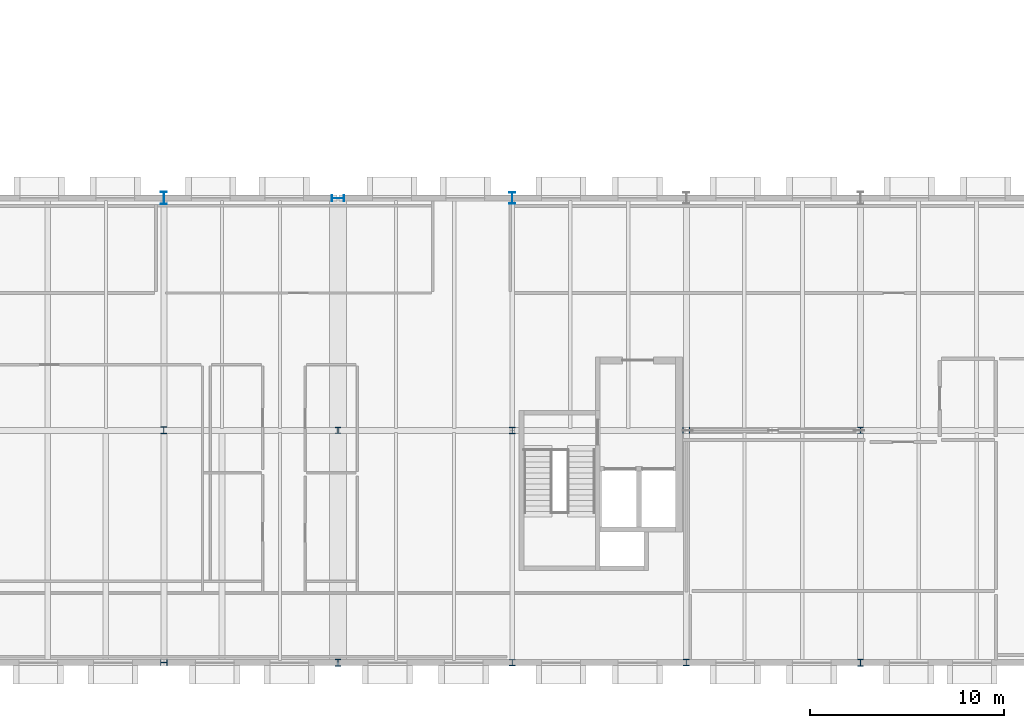
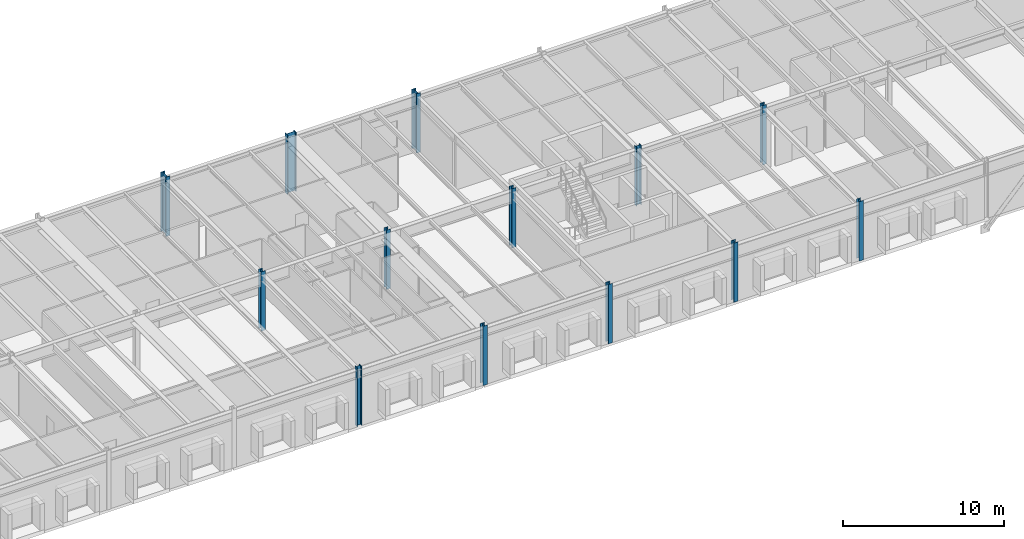
# One storey, part 3 of 67: 13 columns.
"""IFC4 building model written with IfcOpenShell, lengths in metres."""

from ifc_helpers import new_model, si_unit, direction, frame, origin, origin_2d, place, context, subcontext, project, spatial, i_section, extrude, material, material_profile, profile_set, type_object, element, save


model = new_model("IFC4")

# Units and contexts
model_context = context("Model", 3, precision=1e-05, world=origin(), true_north=direction((0.0, 1.0)))
body_context = subcontext(model_context, "Body", "Model", "MODEL_VIEW")
ifc_project = project(units=[si_unit("LENGTHUNIT", "METRE"), si_unit("AREAUNIT", "SQUARE_METRE"), si_unit("VOLUMEUNIT", "CUBIC_METRE"), si_unit("PLANEANGLEUNIT", "RADIAN"), si_unit("MASSUNIT", "GRAM", prefix="KILO")], contexts=[model_context])

# Site, building, storey
site_placement = place(None, origin())
site = spatial("IfcSite", under=ifc_project, at=site_placement, CompositionType="ELEMENT")
building_placement = place(site_placement, origin())
building = spatial("IfcBuilding", under=site, at=building_placement, Name="Montelvaro Courts of Justice", CompositionType="ELEMENT")
storey_placement = place(building_placement, frame((0.0, 0.0, 18.89990234375)))
storey = spatial("IfcBuildingStorey", under=building, at=storey_placement, Name="L04", CompositionType="ELEMENT", Elevation=18.89990234375)

# Columns
ifc_material = material(Name="Steel S355", Category="steel")
ifc_material_profile_1 = material_profile(ifc_material, i_section(OverallWidth=0.300048828125, OverallDepth=0.320068359375, WebThickness=0.011474609375, FlangeThickness=0.0205078125, at=origin_2d()), Name="HEB 320")
ifc_profile_set_1 = profile_set([ifc_material_profile_1], Name="Steel S355")
column_type_1 = type_object("IfcColumnType", Name="Col_HEB320", PredefinedType="COLUMN", material=ifc_profile_set_1)
for number, where, z_axis, x_axis, name in (
    (1, (99.0, 12.0, 0.0), (0.0, 0.0, 1.0), (1.0, 0.0, 0.0), "Column C-04 L04 12/B"),
    (2, (108.0, 0.0, 0.0), (0.0, 0.0, 1.0), (1.0, 0.0, 0.0), "Column C-04 L04 13/A"),
    (3, (126.0, 12.0, 0.0), (0.0, 0.0, 1.0), (1.0, 0.0, 0.0), "Column C-04 L04 15/B"),
):
    element("IfcColumn", number, at=place(storey_placement, frame(where, z_axis=z_axis, x_axis=x_axis)), inside=storey, type_object=column_type_1, Name=name, PredefinedType="COLUMN", context=body_context, shape_type="SweptSolid", body=[
        extrude(i_section(OverallWidth=0.300048828125, OverallDepth=0.320068359375, WebThickness=0.011474609375, FlangeThickness=0.0205078125, at=origin_2d()), origin(), (0.0, 0.0, 1.0), 4.5),
    ])
ifc_material_profile_2 = material_profile(ifc_material, i_section(OverallWidth=0.300048828125, OverallDepth=0.340087890625, WebThickness=0.011962890625, FlangeThickness=0.021484375, at=origin_2d()), Name="HEB 340")
ifc_profile_set_2 = profile_set([ifc_material_profile_2], Name="Steel S355")
column_type_2 = type_object("IfcColumnType", Name="Col_HEB340", PredefinedType="COLUMN", material=ifc_profile_set_2)
for number, where, z_axis, x_axis, name in (
    (4, (90.0, 0.0, 0.0), (0.0, 0.0, 1.0), (0.0, 1.0, 0.0), "Column C-05 L04 11/A"),
    (5, (108.0, 12.0, 0.0), (0.0, 0.0, 1.0), (1.0, 0.0, 0.0), "Column C-05 L04 13/B"),
    (6, (117.0, 0.0, 0.0), (0.0, 0.0, 1.0), (1.0, 0.0, 0.0), "Column C-05 L04 14/A"),
):
    element("IfcColumn", number, at=place(storey_placement, frame(where, z_axis=z_axis, x_axis=x_axis)), inside=storey, type_object=column_type_2, Name=name, PredefinedType="COLUMN", context=body_context, shape_type="SweptSolid", body=[
        extrude(i_section(OverallWidth=0.300048828125, OverallDepth=0.340087890625, WebThickness=0.011962890625, FlangeThickness=0.021484375, at=origin_2d()), origin(), (0.0, 0.0, 1.0), 4.5),
    ])
ifc_material_profile_3 = material_profile(ifc_material, i_section(OverallWidth=0.300048828125, OverallDepth=0.360107421875, WebThickness=0.012451171875, FlangeThickness=0.0224609375, at=origin_2d()), Name="HEB 360")
ifc_profile_set_3 = profile_set([ifc_material_profile_3], Name="Steel S355")
column_type_3 = type_object("IfcColumnType", Name="Col_HEB360", PredefinedType="COLUMN", material=ifc_profile_set_3)
for number, where, z_axis, x_axis, name in (
    (7, (90.0, 12.0, 0.0), (0.0, 0.0, 1.0), (1.0, 0.0, 0.0), "Column C-06 L04 11/B"),
    (8, (99.0, 0.0, 0.0), (0.0, 0.0, 1.0), (1.0, 0.0, 0.0), "Column C-06 L04 12/A"),
    (9, (117.0, 12.0, 0.0), (0.0, 0.0, 1.0), (0.0, 1.0, 0.0), "Column C-06 L04 14/B"),
    (10, (126.0, 0.0, 0.0), (0.0, 0.0, 1.0), (1.0, 0.0, 0.0), "Column C-06 L04 15/A"),
):
    element("IfcColumn", number, at=place(storey_placement, frame(where, z_axis=z_axis, x_axis=x_axis)), inside=storey, type_object=column_type_3, Name=name, PredefinedType="COLUMN", context=body_context, shape_type="SweptSolid", body=[
        extrude(i_section(OverallWidth=0.300048828125, OverallDepth=0.360107421875, WebThickness=0.012451171875, FlangeThickness=0.0224609375, at=origin_2d()), origin(), (0.0, 0.0, 1.0), 4.5),
    ])
ifc_material_profile_4 = material_profile(ifc_material, i_section(OverallWidth=0.300048828125, OverallDepth=0.60009765625, WebThickness=0.015380859375, FlangeThickness=0.030029296875, at=origin_2d()), Name="HEB 600")
ifc_profile_set_4 = profile_set([ifc_material_profile_4], Name="Steel S355")
column_type_4 = type_object("IfcColumnType", Name="Col_HEB600", PredefinedType="COLUMN", material=ifc_profile_set_4)
column_placement = place(storey_placement, frame((108.0, 24.0, 0.0), z_axis=(0.0, 0.0, 1.0), x_axis=(1.0, 0.0, 0.0)))
element("IfcColumn", 11, at=column_placement, inside=storey, type_object=column_type_4, Name="Column C-11 L04 13/C", PredefinedType="COLUMN", context=body_context, shape_type="SweptSolid", body=[
    extrude(i_section(OverallWidth=0.300048828125, OverallDepth=0.60009765625, WebThickness=0.015380859375, FlangeThickness=0.030029296875, at=origin_2d()), origin(), (0.0, 0.0, 1.0), 4.5),
])
ifc_material_profile_5 = material_profile(ifc_material, i_section(OverallWidth=0.300048828125, OverallDepth=0.64990234375, WebThickness=0.01611328125, FlangeThickness=0.031005859375, at=origin_2d()), Name="HEB 650")
ifc_profile_set_5 = profile_set([ifc_material_profile_5], Name="Steel S355")
column_type_5 = type_object("IfcColumnType", Name="Col_HEB650", PredefinedType="COLUMN", material=ifc_profile_set_5)
for number, where, z_axis, x_axis, name in (
    (12, (90.0, 24.0, 0.0), (0.0, 0.0, 1.0), (1.0, 0.0, 0.0), "Column C-12 L04 11/C"),
    (13, (99.0, 24.0, 0.0), (0.0, 0.0, 1.0), (0.0, 1.0, 0.0), "Column C-12 L04 12/C"),
):
    element("IfcColumn", number, at=place(storey_placement, frame(where, z_axis=z_axis, x_axis=x_axis)), inside=storey, type_object=column_type_5, Name=name, PredefinedType="COLUMN", context=body_context, shape_type="SweptSolid", body=[
        extrude(i_section(OverallWidth=0.300048828125, OverallDepth=0.64990234375, WebThickness=0.01611328125, FlangeThickness=0.031005859375, at=origin_2d()), origin(), (0.0, 0.0, 1.0), 4.5),
    ])

save(model, "model.ifc")
